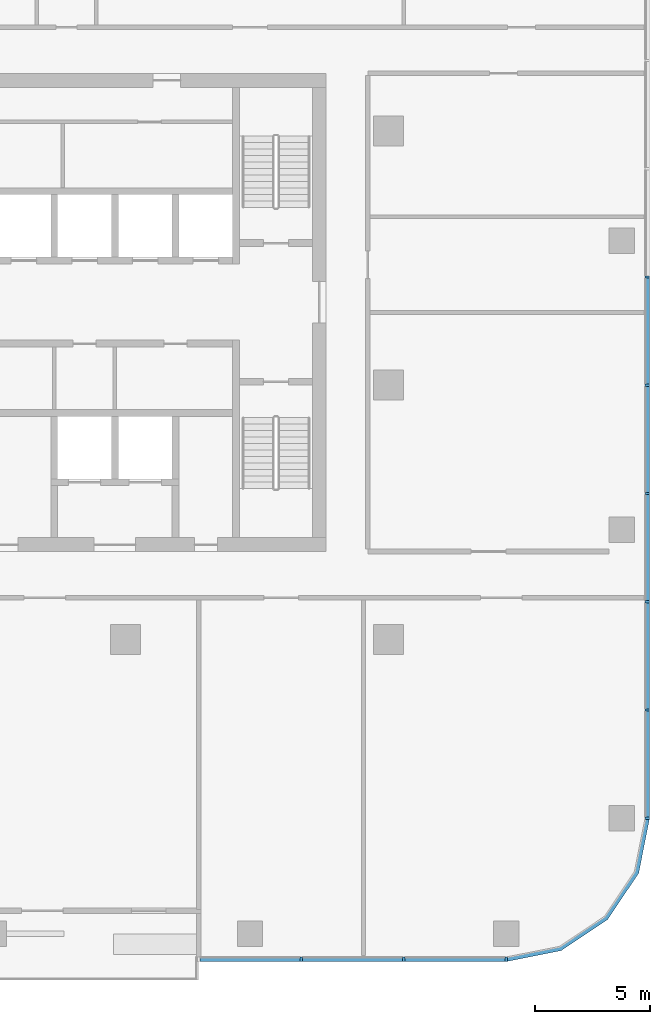
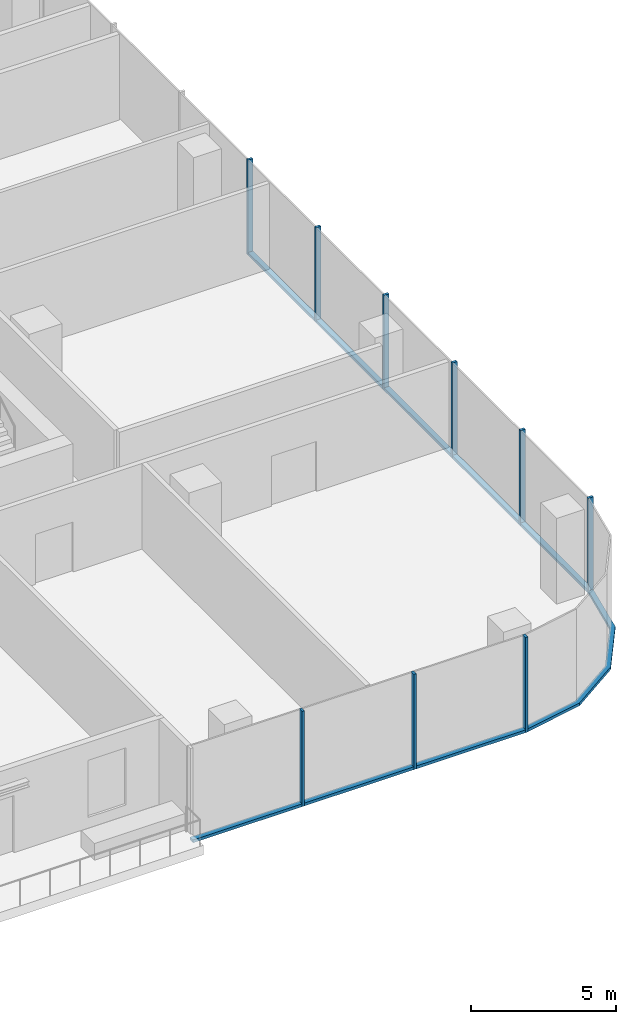
# One storey, part 3 of 14: 18 members, 3 elements without a shape of their own.
"""IFC4 building model written with IfcOpenShell, lengths in metres."""

from ifc_helpers import new_model, si_unit, direction, frame, origin, origin_2d, place, context, subcontext, project, spatial, polyline, rectangle, outline, extrude, material, material_profile, profile_set, type_object, element, aggregate, save


model = new_model("IFC4")

# Units and contexts
model_context = context("Model", 3, precision=1e-05, world=origin(), true_north=direction((0.0, 1.0)))
body_context = subcontext(model_context, "Body", "Model", "MODEL_VIEW")
ifc_project = project(units=[si_unit("LENGTHUNIT", "METRE"), si_unit("AREAUNIT", "SQUARE_METRE"), si_unit("VOLUMEUNIT", "CUBIC_METRE"), si_unit("PLANEANGLEUNIT", "RADIAN"), si_unit("MASSUNIT", "GRAM", prefix="KILO")], contexts=[model_context])

# Site, building, storey
site_placement = place(None, origin())
site = spatial("IfcSite", under=ifc_project, at=site_placement, CompositionType="ELEMENT")
building_placement = place(site_placement, origin())
building = spatial("IfcBuilding", under=site, at=building_placement, Name="Mopane Tessera Tower", CompositionType="ELEMENT")
storey_placement = place(building_placement, frame((0.0, 0.0, 251.0)))
storey = spatial("IfcBuildingStorey", under=building, at=storey_placement, Name="L54", CompositionType="ELEMENT", Elevation=251.0)

# Curtain wall, members
ifc_material_1 = material(Name="Aluminium frame", Category="aluminium")
curtain_wall_type = type_object("IfcCurtainWallType", Name="Unitised curtain wall", PredefinedType="NOTDEFINED", material=ifc_material_1)
curtain_wall_1_placement = place(storey_placement, origin())
curtain_wall_1 = element("IfcCurtainWall", 1, at=curtain_wall_1_placement, inside=storey, type_object=curtain_wall_type, Name="e:cw:L54:S:7", PredefinedType="NOTDEFINED")
ifc_material_2 = material(Name="Aluminium frame", Category="aluminium")
ifc_material_profile_1 = material_profile(ifc_material_2, rectangle(XDim=0.10009765625, YDim=0.199951171875, at=origin_2d()))
ifc_profile_set_1 = profile_set([ifc_material_profile_1], Name="Aluminium frame")
member_type_1 = type_object("IfcMemberType", Name="Aluminium mullion 100 x 200", PredefinedType="MULLION", material=ifc_profile_set_1)
member_1_placement = place(storey_placement, frame((13.320068359375, -24.85009765625, -0.39990234375), z_axis=(0.0, 0.0, 1.0), x_axis=(1.0, 0.0, 0.0)))
member_1 = element("IfcMember", 2, at=member_1_placement, type_object=member_type_1, Name="e:cw:L54:S:7:mu8", PredefinedType="MULLION", context=body_context, shape_type="SweptSolid", body=[
    extrude(rectangle(XDim=0.10009765625, YDim=0.199951171875, at=origin_2d()), origin(), (0.0, 0.0, 1.0), 4.0),
])
member_2_placement = place(storey_placement, frame((17.760009765625, -24.85009765625, -0.39990234375), z_axis=(0.0, 0.0, 1.0), x_axis=(1.0, 0.0, 0.0)))
member_2 = element("IfcMember", 3, at=member_2_placement, type_object=member_type_1, Name="e:cw:L54:S:7:mu9", PredefinedType="MULLION", context=body_context, shape_type="SweptSolid", body=[
    extrude(rectangle(XDim=0.10009765625, YDim=0.199951171875, at=origin_2d()), origin(), (0.0, 0.0, 1.0), 4.0),
])
member_3_placement = place(storey_placement, frame((22.199951171875, -24.85009765625, -0.39990234375), z_axis=(0.0, 0.0, 1.0), x_axis=(1.0, 0.0, 0.0)))
member_3 = element("IfcMember", 4, at=member_3_placement, type_object=member_type_1, Name="e:cw:L54:S:7:mu10", PredefinedType="MULLION", context=body_context, shape_type="SweptSolid", body=[
    extrude(rectangle(XDim=0.10009765625, YDim=0.199951171875, at=origin_2d()), origin(), (0.0, 0.0, 1.0), 4.0),
])

curtain_wall_2_placement = place(storey_placement, origin())
curtain_wall_2 = element("IfcCurtainWall", 5, at=curtain_wall_2_placement, inside=storey, type_object=curtain_wall_type, Name="e:cw:L54:E:0", PredefinedType="NOTDEFINED")
member_4_placement = place(storey_placement, frame((28.300048828125, -18.75, -0.39990234375), z_axis=(0.0, 0.0, 1.0), x_axis=(0.0, 1.0, 0.0)))
member_4 = element("IfcMember", 6, at=member_4_placement, type_object=member_type_1, Name="e:cw:L54:E:0:mu0", PredefinedType="MULLION", context=body_context, shape_type="SweptSolid", body=[
    extrude(rectangle(XDim=0.10009765625, YDim=0.199951171875, at=origin_2d()), origin(), (0.0, 0.0, 1.0), 4.0),
])
member_5_placement = place(storey_placement, frame((28.300048828125, -14.0625, -0.39990234375), z_axis=(0.0, 0.0, 1.0), x_axis=(0.0, 1.0, 0.0)))
member_5 = element("IfcMember", 7, at=member_5_placement, type_object=member_type_1, Name="e:cw:L54:E:0:mu1", PredefinedType="MULLION", context=body_context, shape_type="SweptSolid", body=[
    extrude(rectangle(XDim=0.10009765625, YDim=0.199951171875, at=origin_2d()), origin(), (0.0, 0.0, 1.0), 4.0),
])
member_6_placement = place(storey_placement, frame((28.300048828125, -9.375, -0.39990234375), z_axis=(0.0, 0.0, 1.0), x_axis=(0.0, 1.0, 0.0)))
member_6 = element("IfcMember", 8, at=member_6_placement, type_object=member_type_1, Name="e:cw:L54:E:0:mu2", PredefinedType="MULLION", context=body_context, shape_type="SweptSolid", body=[
    extrude(rectangle(XDim=0.10009765625, YDim=0.199951171875, at=origin_2d()), origin(), (0.0, 0.0, 1.0), 4.0),
])
member_7_placement = place(storey_placement, frame((28.300048828125, -4.6875, -0.39990234375), z_axis=(0.0, 0.0, 1.0), x_axis=(0.0, 1.0, 0.0)))
member_7 = element("IfcMember", 9, at=member_7_placement, type_object=member_type_1, Name="e:cw:L54:E:0:mu3", PredefinedType="MULLION", context=body_context, shape_type="SweptSolid", body=[
    extrude(rectangle(XDim=0.10009765625, YDim=0.199951171875, at=origin_2d()), origin(), (0.0, 0.0, 1.0), 4.0),
])
member_8_placement = place(storey_placement, frame((28.300048828125, 0.0, -0.39990234375), z_axis=(0.0, 0.0, 1.0), x_axis=(0.0, 1.0, 0.0)))
member_8 = element("IfcMember", 10, at=member_8_placement, type_object=member_type_1, Name="e:cw:L54:E:0:mu4", PredefinedType="MULLION", context=body_context, shape_type="SweptSolid", body=[
    extrude(rectangle(XDim=0.10009765625, YDim=0.199951171875, at=origin_2d()), origin(), (0.0, 0.0, 1.0), 4.0),
])
member_9_placement = place(storey_placement, frame((28.300048828125, 4.6875, -0.39990234375), z_axis=(0.0, 0.0, 1.0), x_axis=(0.0, 1.0, 0.0)))
member_9 = element("IfcMember", 11, at=member_9_placement, type_object=member_type_1, Name="e:cw:L54:E:0:mu5", PredefinedType="MULLION", context=body_context, shape_type="SweptSolid", body=[
    extrude(rectangle(XDim=0.10009765625, YDim=0.199951171875, at=origin_2d()), origin(), (0.0, 0.0, 1.0), 4.0),
])

# Member
ifc_material_3 = material(Name="Aluminium frame", Category="aluminium")
ifc_material_profile_2 = material_profile(ifc_material_3, rectangle(XDim=0.199951171875, YDim=0.1201171875, at=origin_2d()))
ifc_profile_set_2 = profile_set([ifc_material_profile_2], Name="Aluminium frame")
member_type_2 = type_object("IfcMemberType", Name="Aluminium transom 200 x 120", PredefinedType="USERDEFINED", material=ifc_profile_set_2)
member_10_placement = place(storey_placement, frame((8.929931640625, -24.85009765625, -0.340087890625), z_axis=(1.0, 0.0, 0.0), x_axis=(0.0, 1.0, 0.0)))
member_10 = element("IfcMember", 12, at=member_10_placement, type_object=member_type_2, Name="e:cw:L54:S:7:tr7", ObjectType="TRANSOM", PredefinedType="USERDEFINED", context=body_context, shape_type="SweptSolid", body=[
    extrude(rectangle(XDim=0.199951171875, YDim=0.1201171875, at=origin_2d()), origin(), (0.0, 0.0, 1.0), 4.340087890625),
])

member_11_placement = place(storey_placement, frame((13.3701171875, -24.85009765625, -0.340087890625), z_axis=(1.0, 0.0, 0.0), x_axis=(0.0, 1.0, 0.0)))
member_11 = element("IfcMember", 13, at=member_11_placement, type_object=member_type_2, Name="e:cw:L54:S:7:tr8", ObjectType="TRANSOM", PredefinedType="USERDEFINED", context=body_context, shape_type="SweptSolid", body=[
    extrude(rectangle(XDim=0.199951171875, YDim=0.1201171875, at=origin_2d()), origin(), (0.0, 0.0, 1.0), 4.33984375),
])

member_12_placement = place(storey_placement, frame((17.81005859375, -24.85009765625, -0.340087890625), z_axis=(1.0, 0.0, 0.0), x_axis=(0.0, 1.0, 0.0)))
member_12 = element("IfcMember", 14, at=member_12_placement, type_object=member_type_2, Name="e:cw:L54:S:7:tr9", ObjectType="TRANSOM", PredefinedType="USERDEFINED", context=body_context, shape_type="SweptSolid", body=[
    extrude(rectangle(XDim=0.199951171875, YDim=0.1201171875, at=origin_2d()), origin(), (0.0, 0.0, 1.0), 4.33984375),
])

aggregate(curtain_wall_1, [member_1, member_2, member_3, member_10, member_11, member_12])

# Curtain wall, member
curtain_wall_3_placement = place(storey_placement, origin())
curtain_wall_3 = element("IfcCurtainWall", 15, at=curtain_wall_3_placement, inside=storey, type_object=curtain_wall_type, Name="e:cw:L54:CS", PredefinedType="NOTDEFINED")
member_13_placement = place(storey_placement, frame((0.0, 0.0, -0.39990234375)))
member_13 = element("IfcMember", 16, at=member_13_placement, type_object=member_type_2, Name="e:cw:L54:CS:tr", ObjectType="TRANSOM", PredefinedType="USERDEFINED", context=body_context, shape_type="SweptSolid", body=[
    extrude(outline(polyline([(22.199951171875, -24.75), (24.49609375, -24.293212890625), (26.442626953125, -22.99267578125), (27.7431640625, -21.046142578125), (28.199951171875, -18.75), (28.39990234375, -18.75), (27.927978515625, -21.12255859375), (26.583984375, -23.134033203125), (24.57275390625, -24.47802734375), (22.199951171875, -24.949951171875), (22.199951171875, -24.75)])), origin(), (0.0, 0.0, 1.0), 0.119873046875),
])
aggregate(curtain_wall_3, [member_13])

# Member
member_14_placement = place(storey_placement, frame((28.300048828125, -18.699951171875, -0.340087890625), z_axis=(0.0, 1.0, 0.0), x_axis=(-1.0, 0.0, 0.0)))
member_14 = element("IfcMember", 17, at=member_14_placement, type_object=member_type_2, Name="e:cw:L54:E:0:tr0", ObjectType="TRANSOM", PredefinedType="USERDEFINED", context=body_context, shape_type="SweptSolid", body=[
    extrude(rectangle(XDim=0.199951171875, YDim=0.1201171875, at=origin_2d()), origin(), (0.0, 0.0, 1.0), 4.58740234375),
])

member_15_placement = place(storey_placement, frame((28.300048828125, -14.012451171875, -0.340087890625), z_axis=(0.0, 1.0, 0.0), x_axis=(-1.0, 0.0, 0.0)))
member_15 = element("IfcMember", 18, at=member_15_placement, type_object=member_type_2, Name="e:cw:L54:E:0:tr1", ObjectType="TRANSOM", PredefinedType="USERDEFINED", context=body_context, shape_type="SweptSolid", body=[
    extrude(rectangle(XDim=0.199951171875, YDim=0.1201171875, at=origin_2d()), origin(), (0.0, 0.0, 1.0), 4.58740234375),
])

member_16_placement = place(storey_placement, frame((28.300048828125, -9.324951171875, -0.340087890625), z_axis=(0.0, 1.0, 0.0), x_axis=(-1.0, 0.0, 0.0)))
member_16 = element("IfcMember", 19, at=member_16_placement, type_object=member_type_2, Name="e:cw:L54:E:0:tr2", ObjectType="TRANSOM", PredefinedType="USERDEFINED", context=body_context, shape_type="SweptSolid", body=[
    extrude(rectangle(XDim=0.199951171875, YDim=0.1201171875, at=origin_2d()), origin(), (0.0, 0.0, 1.0), 4.58740234375),
])

member_17_placement = place(storey_placement, frame((28.300048828125, -4.637451171875, -0.340087890625), z_axis=(0.0, 1.0, 0.0), x_axis=(-1.0, 0.0, 0.0)))
member_17 = element("IfcMember", 20, at=member_17_placement, type_object=member_type_2, Name="e:cw:L54:E:0:tr3", ObjectType="TRANSOM", PredefinedType="USERDEFINED", context=body_context, shape_type="SweptSolid", body=[
    extrude(rectangle(XDim=0.199951171875, YDim=0.1201171875, at=origin_2d()), origin(), (0.0, 0.0, 1.0), 4.58740234375),
])

member_18_placement = place(storey_placement, frame((28.300048828125, 0.050048828125, -0.340087890625), z_axis=(0.0, 1.0, 0.0), x_axis=(-1.0, 0.0, 0.0)))
member_18 = element("IfcMember", 21, at=member_18_placement, type_object=member_type_2, Name="e:cw:L54:E:0:tr4", ObjectType="TRANSOM", PredefinedType="USERDEFINED", context=body_context, shape_type="SweptSolid", body=[
    extrude(rectangle(XDim=0.199951171875, YDim=0.1201171875, at=origin_2d()), origin(), (0.0, 0.0, 1.0), 4.58740234375),
])

aggregate(curtain_wall_2, [member_4, member_5, member_6, member_7, member_8, member_9, member_14, member_15, member_16, member_17, member_18])

save(model, "model.ifc")
